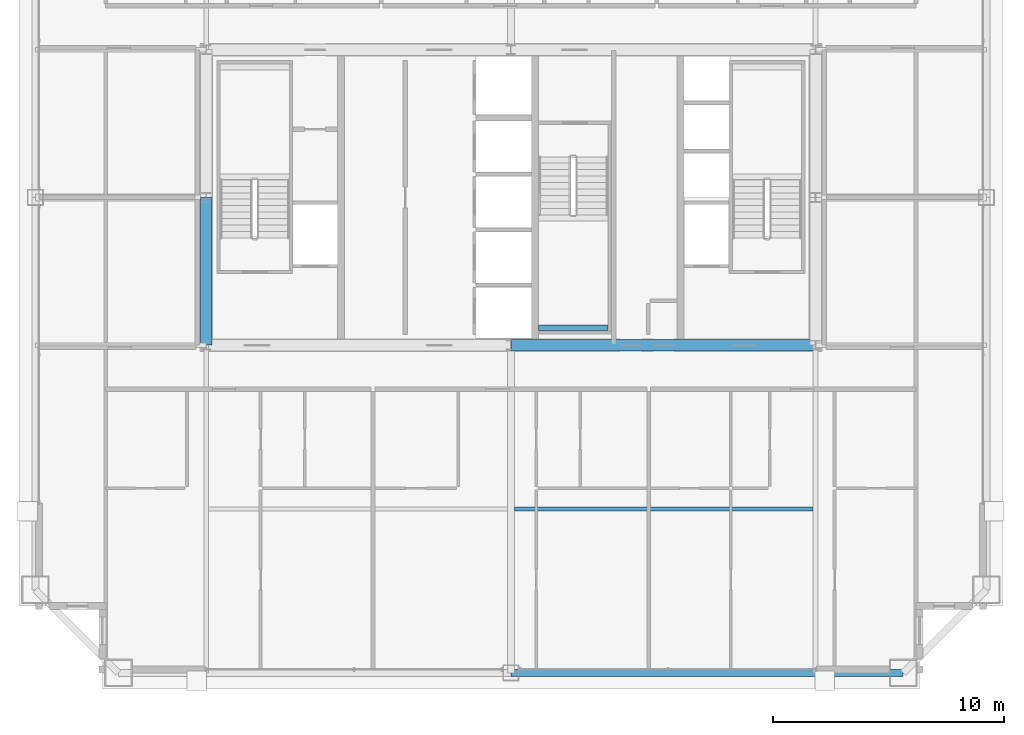
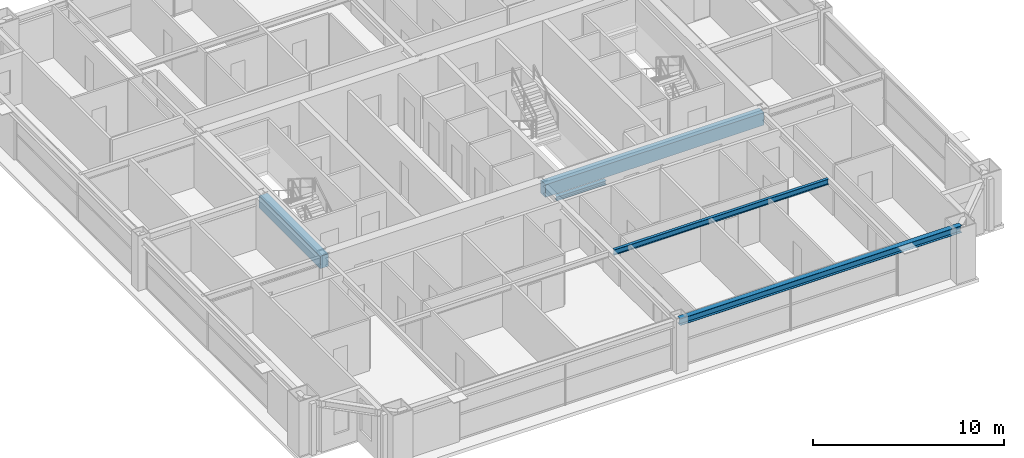
# One storey, part 12 of 37: 5 beams.
"""IFC4 building model written with IfcOpenShell, lengths in metres."""

from ifc_helpers import new_model, si_unit, direction, frame, origin, origin_2d, place, context, subcontext, project, spatial, rectangle, i_section, extrude, source, transform, mapped, material, material_profile, profile_set, type_object, element, save


model = new_model("IFC4")

# Units and contexts
model_context = context("Model", 3, precision=1e-05, world=origin(), true_north=direction((0.0, 1.0)))
body_context = subcontext(model_context, "Body", "Model", "MODEL_VIEW")
ifc_project = project(units=[si_unit("LENGTHUNIT", "METRE"), si_unit("AREAUNIT", "SQUARE_METRE"), si_unit("VOLUMEUNIT", "CUBIC_METRE"), si_unit("PLANEANGLEUNIT", "RADIAN"), si_unit("MASSUNIT", "GRAM", prefix="KILO"), si_unit("THERMODYNAMICTEMPERATUREUNIT", "KELVIN"), si_unit("POWERUNIT", "WATT")], contexts=[model_context])

# Site, building, storey
site_placement = place(None, origin())
site = spatial("IfcSite", under=ifc_project, at=site_placement, CompositionType="ELEMENT")
building_placement = place(site_placement, origin())
building = spatial("IfcBuilding", under=site, at=building_placement, Name="Yuzanri Waterfront Tower", CompositionType="ELEMENT")
storey_placement = place(building_placement, frame((0.0, 0.0, 245.10009765625)))
storey = spatial("IfcBuildingStorey", under=building, at=storey_placement, Name="L65", CompositionType="ELEMENT", Elevation=245.10009765625)

# Beams
ifc_material_1 = material(Name="Concrete C50", Category="concrete")
ifc_material_profile_1 = material_profile(ifc_material_1, rectangle(XDim=0.5, YDim=0.800048828125, at=origin_2d()), Name="RC 500x800")
ifc_profile_set_1 = profile_set([ifc_material_profile_1], Name="Concrete C50")
beam_type_1 = type_object("IfcBeamType", Name="Core Coupling Lintel Concrete C50 500x800", PredefinedType="LINTEL", material=ifc_profile_set_1)
shared_shape_1 = source(origin(), body_context, "Body", "SweptSolid", [
    extrude(rectangle(XDim=0.5, YDim=0.800048828125, at=origin_2d()), origin(), (0.0, 0.0, 1.0), 13.199951171875),
])
beam_1_placement = place(storey_placement, frame((37.0, 19.39990234375, 2.8798828125), z_axis=(1.0, 0.0, 0.0), x_axis=(0.0, 1.0, 0.0)))
element("IfcBeam", 1, at=beam_1_placement, inside=storey, type_object=beam_type_1, Name="L65 Core Tie Beam CS2", PredefinedType="LINTEL", context=body_context, shape_type="MappedRepresentation", body=[
    mapped(shared_shape_1, transform((0.0, 0.0, 0.0), scale=1.0)),
])
shared_shape_2 = source(origin(), body_context, "Body", "SweptSolid", [
    extrude(rectangle(XDim=0.5, YDim=0.800048828125, at=origin_2d()), origin(), (0.0, 0.0, 1.0), 6.400146484375),
])
beam_2_placement = place(storey_placement, frame((23.800048828125, 19.39990234375, 2.8798828125), z_axis=(0.0, 1.0, 0.0), x_axis=(-1.0, 0.0, 0.0)))
element("IfcBeam", 2, at=beam_2_placement, inside=storey, type_object=beam_type_1, Name="L65 Core Tie Beam CW1", PredefinedType="LINTEL", context=body_context, shape_type="MappedRepresentation", body=[
    mapped(shared_shape_2, transform((0.0, 0.0, 0.0), scale=1.0)),
])
ifc_material_2 = material(Name="Steel Q355B", Category="steel")
ifc_material_profile_2 = material_profile(ifc_material_2, i_section(OverallWidth=0.300048828125, OverallDepth=0.43994140625, WebThickness=0.010986328125, FlangeThickness=0.01806640625, at=origin_2d()), Name="HM 440x300x11x18")
ifc_profile_set_2 = profile_set([ifc_material_profile_2], Name="Steel Q355B")
beam_type_2 = type_object("IfcBeamType", Name="Perimeter Spandrel Q355B HM 440x300", PredefinedType="SPANDREL", material=ifc_profile_set_2)
shared_shape_3 = source(origin(), body_context, "Body", "SweptSolid", [
    extrude(i_section(OverallWidth=0.300048828125, OverallDepth=0.43994140625, WebThickness=0.010986328125, FlangeThickness=0.01806640625, at=origin_2d()), origin(), (0.0, 0.0, 1.0), 17.0),
])
beam_3_placement = place(storey_placement, frame((37.0, 5.199951171875, 3.059814453125), z_axis=(1.0, 0.0, 0.0), x_axis=(0.0, 1.0, 0.0)))
element("IfcBeam", 3, at=beam_3_placement, inside=storey, type_object=beam_type_2, Name="L65 Perimeter Spandrel S2-S3", PredefinedType="SPANDREL", context=body_context, shape_type="MappedRepresentation", body=[
    mapped(shared_shape_3, transform((0.0, 0.0, 0.0), scale=1.0)),
])
ifc_material_3 = material(Name="Steel Q355B", Category="steel")
ifc_material_profile_3 = material_profile(ifc_material_3, i_section(OverallWidth=0.175048828125, OverallDepth=0.35009765625, WebThickness=0.007080078125, FlangeThickness=0.010986328125, at=origin_2d()), Name="HN 350x175x7x11")
ifc_profile_set_3 = profile_set([ifc_material_profile_3], Name="Steel Q355B")
beam_type_3 = type_object("IfcBeamType", Name="Floor Joist Q355B HN 350x175", PredefinedType="JOIST", material=ifc_profile_set_3)
shared_shape_4 = source(origin(), body_context, "Body", "SweptSolid", [
    extrude(i_section(OverallWidth=0.175048828125, OverallDepth=0.35009765625, WebThickness=0.007080078125, FlangeThickness=0.010986328125, at=origin_2d()), origin(), (0.0, 0.0, 1.0), 12.9501953125),
])
beam_4_placement = place(storey_placement, frame((37.14990234375, 12.300048828125, 3.10498046875), z_axis=(1.0, 0.0, 0.0), x_axis=(0.0, 1.0, 0.0)))
element("IfcBeam", 4, at=beam_4_placement, inside=storey, type_object=beam_type_3, Name="L65 South Bay Joist E", PredefinedType="JOIST", context=body_context, shape_type="MappedRepresentation", body=[
    mapped(shared_shape_4, transform((0.0, 0.0, 0.0), scale=1.0)),
])
ifc_material_4 = material(Name="Steel Q355B", Category="steel")
ifc_material_profile_4 = material_profile(ifc_material_4, i_section(OverallWidth=0.25, OverallDepth=0.25, WebThickness=0.009033203125, FlangeThickness=0.013916015625, at=origin_2d()), Name="HW 250x250x9x14")
ifc_profile_set_4 = profile_set([ifc_material_profile_4], Name="Steel Q355B")
beam_type_4 = type_object("IfcBeamType", Name="Stair Landing Support Beam Q355B HW 250x250", PredefinedType="BEAM", material=ifc_profile_set_4)
shared_shape_5 = source(origin(), body_context, "Body", "SweptSolid", [
    extrude(i_section(OverallWidth=0.25, OverallDepth=0.25, WebThickness=0.009033203125, FlangeThickness=0.013916015625, at=origin_2d()), origin(), (0.0, 0.0, 1.0), 3.0),
])
beam_5_placement = place(storey_placement, frame((38.199951171875, 20.14990234375, 1.4248046875), z_axis=(1.0, 0.0, 0.0), x_axis=(0.0, 1.0, 0.0)))
element("IfcBeam", 5, at=beam_5_placement, inside=storey, type_object=beam_type_4, Name="L65 Stair Landing Support Beam ST-03-L65-L1-1", PredefinedType="BEAM", context=body_context, shape_type="MappedRepresentation", body=[
    mapped(shared_shape_5, transform((0.0, 0.0, 0.0), scale=1.0)),
])

save(model, "model.ifc")
